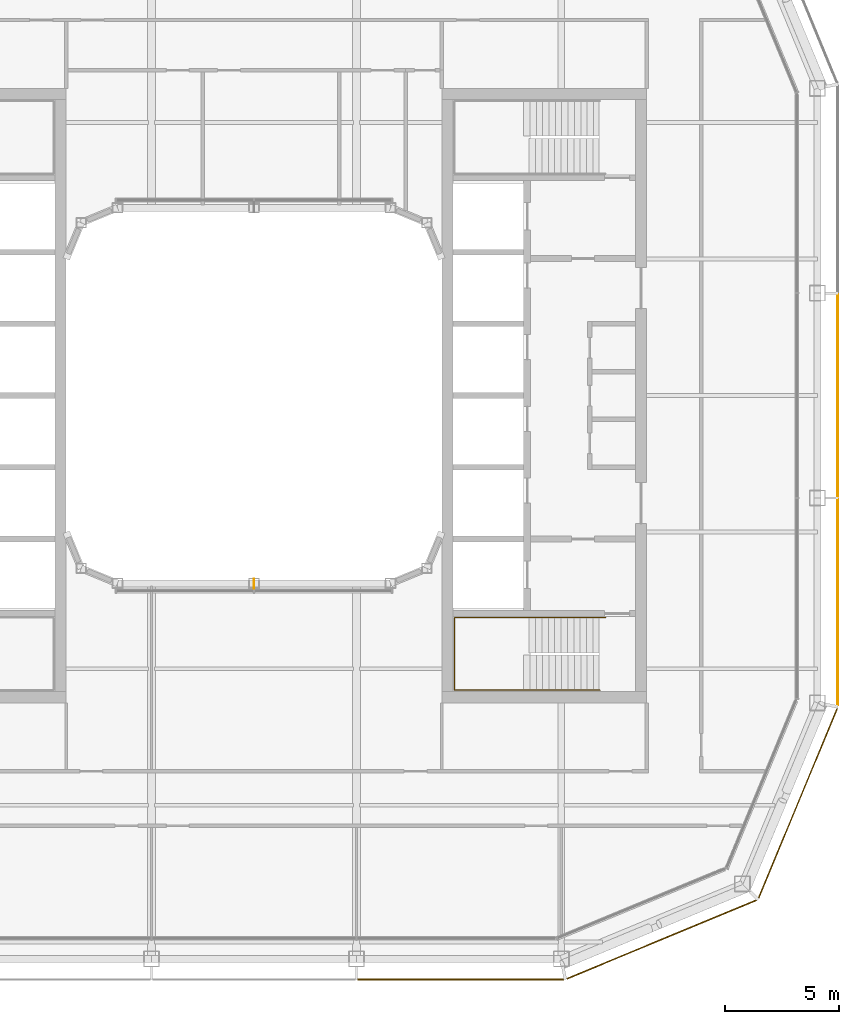
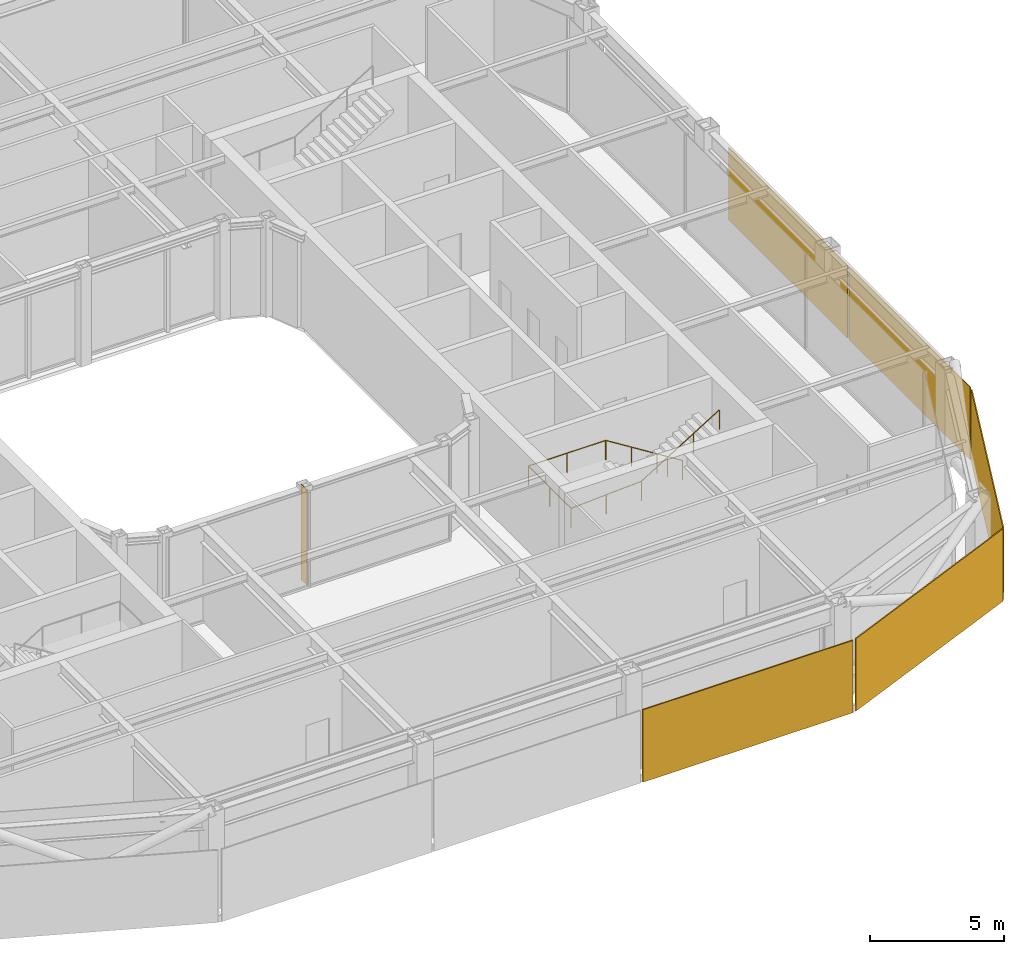
# One storey, part 16 of 18: 5 coverings, 1 railing, 1 shading device.
"""IFC4 building model written with IfcOpenShell, lengths in metres."""

from ifc_helpers import new_model, si_unit, direction, frame, origin, origin_2d, place, context, subcontext, project, spatial, rectangle, circle, extrude, material, layer, layer_set, type_object, element, save


model = new_model("IFC4")

# Units and contexts
model_context = context("Model", 3, precision=1e-05, world=origin(), true_north=direction((0.0, 1.0)))
body_context = subcontext(model_context, "Body", "Model", "MODEL_VIEW")
ifc_project = project(units=[si_unit("LENGTHUNIT", "METRE"), si_unit("AREAUNIT", "SQUARE_METRE"), si_unit("VOLUMEUNIT", "CUBIC_METRE"), si_unit("PLANEANGLEUNIT", "RADIAN"), si_unit("MASSUNIT", "GRAM", prefix="KILO")], contexts=[model_context])

# Site, building, storey
site_placement = place(None, origin())
site = spatial("IfcSite", under=ifc_project, at=site_placement, CompositionType="ELEMENT")
building_placement = place(site_placement, origin())
building = spatial("IfcBuilding", under=site, at=building_placement, Name="Siwar Civic Tower", CompositionType="ELEMENT")
storey_placement = place(building_placement, frame((0.0, 0.0, 321.199951171875)))
storey = spatial("IfcBuildingStorey", under=building, at=storey_placement, Name="L69", CompositionType="ELEMENT", Elevation=321.199951171875)

# Railing
ifc_material_1 = material(Name="Stainless steel", Category="steel")
railing_type = type_object("IfcRailingType", Name="CORE-STAIR-HANDRAIL", PredefinedType="HANDRAIL", material=ifc_material_1)
railing_placement = place(storey_placement, frame((15.449951171875, -9.758056640625, 0.173095703125)))
element("IfcRailing", 1, at=railing_placement, inside=storey, type_object=railing_type, Name="Stair handrail ST4", PredefinedType="HANDRAIL", context=body_context, shape_type="SweptSolid", body=[
    extrude(circle(Radius=0.02001953125, at=origin_2d()), frame((0.0, 0.0, 0.8798828125), z_axis=(-0.847063342986, 0.0, 0.531491950051), x_axis=(0.0, -1.0, 0.0)), (0.0, 0.0, 1.0), 3.90771484375),
    extrude(circle(Radius=0.02001953125, at=origin_2d()), frame((-3.31005859375, 0.0, 2.956787109375), z_axis=(-1.0, 0.0, 0.0), x_axis=(0.0, -1.0, 0.0)), (0.0, 0.0, 1.0), 3.331787109375),
    extrude(circle(Radius=0.02001953125, at=origin_2d()), frame((-6.641845703125, 0.0, 2.956787109375), z_axis=(0.0, -1.0, 0.0), x_axis=(1.0, 0.0, 0.0)), (0.0, 0.0, 1.0), 3.183837890625),
    extrude(circle(Radius=0.02001953125, at=origin_2d()), frame((-6.641845703125, -3.183837890625, 2.956787109375), z_axis=(0.99837434197, 0.0, 0.056997134106), x_axis=(0.0, 1.0, 0.0)), (0.0, 0.0, 1.0), 3.036865234375),
    extrude(circle(Radius=0.02001953125, at=origin_2d()), frame((-3.60986328125, -3.183837890625, 3.1298828125), z_axis=(0.850606129759, 0.0, 0.525803396734), x_axis=(0.0, 1.0, 0.0)), (0.0, 0.0, 1.0), 3.949951171875),
    extrude(circle(Radius=0.02001953125, at=origin_2d()), origin(), (0.0, 0.0, 1.0), 0.85986328125),
    extrude(circle(Radius=0.02001953125, at=origin_2d()), frame((-1.103271484375, 0.0, 0.6923828125)), (0.0, 0.0, 1.0), 0.85986328125),
    extrude(circle(Radius=0.02001953125, at=origin_2d()), frame((-2.206787109375, 0.0, 1.384521484375)), (0.0, 0.0, 1.0), 0.85986328125),
    extrude(circle(Radius=0.02001953125, at=origin_2d()), frame((-3.31005859375, 0.0, 2.076904296875)), (0.0, 0.0, 1.0), 0.85986328125),
    extrude(circle(Radius=0.02001953125, at=origin_2d()), frame((-4.97607421875, 0.0, 2.076904296875)), (0.0, 0.0, 1.0), 0.85986328125),
    extrude(circle(Radius=0.02001953125, at=origin_2d()), frame((-6.641845703125, 0.0, 2.076904296875)), (0.0, 0.0, 1.0), 0.85986328125),
    extrude(circle(Radius=0.02001953125, at=origin_2d()), frame((-6.641845703125, -1.591796875, 2.076904296875)), (0.0, 0.0, 1.0), 0.85986328125),
    extrude(circle(Radius=0.02001953125, at=origin_2d()), frame((-6.641845703125, -3.183837890625, 2.076904296875)), (0.0, 0.0, 1.0), 0.85986328125),
    extrude(circle(Radius=0.02001953125, at=origin_2d()), frame((-5.1259765625, -3.183837890625, 2.16357421875)), (0.0, 0.0, 1.0), 0.85986328125),
    extrude(circle(Radius=0.02001953125, at=origin_2d()), frame((-3.60986328125, -3.183837890625, 2.25)), (0.0, 0.0, 1.0), 0.85986328125),
    extrude(circle(Radius=0.02001953125, at=origin_2d()), frame((-2.489990234375, -3.183837890625, 2.9423828125)), (0.0, 0.0, 1.0), 0.85986328125),
    extrude(circle(Radius=0.02001953125, at=origin_2d()), frame((-1.369873046875, -3.183837890625, 3.634521484375)), (0.0, 0.0, 1.0), 0.85986328125),
    extrude(circle(Radius=0.02001953125, at=origin_2d()), frame((-0.25, -3.183837890625, 4.326904296875)), (0.0, 0.0, 1.0), 0.85986328125),
])

# Shading device
ifc_material_2 = material(Name="Aluminium 6063-T6", Category="aluminium")
ifc_layer_1 = layer(ifc_material_2, 0.02001953125)
ifc_layer_set_1 = layer_set([ifc_layer_1], Name="Aluminium 6063-T6")
shading_device_type = type_object("IfcShadingDeviceType", Name="ENV-FIN", PredefinedType="JALOUSIE", material=ifc_layer_set_1)
shading_device_placement = place(storey_placement, frame((0.0, -8.27001953125, 0.0), z_axis=(0.0, 0.0, 1.0), x_axis=(1.0, 0.0, 0.0)))
element("IfcShadingDevice", 2, at=shading_device_placement, inside=storey, type_object=shading_device_type, Name="SUNSHADE fin WS 1", PredefinedType="JALOUSIE", context=body_context, shape_type="SweptSolid", body=[
    extrude(rectangle(XDim=0.02001953125, YDim=0.449951171875, at=origin_2d()), origin(), (0.0, 0.0, 1.0), 4.35009765625),
])

# Coverings
ifc_material_3 = material(Name="Perforated aluminium cassette, pale metal", Category="aluminium")
ifc_layer_2 = layer(ifc_material_3, 0.0400390625)
ifc_layer_set_2 = layer_set([ifc_layer_2], Name="Perforated aluminium cassette, pale metal")
covering_type_1 = type_object("IfcCoveringType", Name="ENV-OUTER SKIN OS-1", PredefinedType="CLADDING", material=ifc_layer_set_2)
covering_1_placement = place(storey_placement, frame((25.64990234375, -9.07958984375, -0.14990234375), z_axis=(0.0, 0.0, 1.0), x_axis=(0.0, 1.0, 0.0)))
element("IfcCovering", 3, at=covering_1_placement, inside=storey, type_object=covering_type_1, Name="OUTER SKIN OS-1 E 1", PredefinedType="CLADDING", context=body_context, shape_type="SweptSolid", body=[
    extrude(rectangle(XDim=9.05908203125, YDim=0.0400390625, at=origin_2d()), origin(), (0.0, 0.0, 1.0), 3.300048828125),
])
covering_2_placement = place(storey_placement, frame((25.64990234375, 0.0, -0.14990234375), z_axis=(0.0, 0.0, 1.0), x_axis=(0.0, 1.0, 0.0)))
element("IfcCovering", 4, at=covering_2_placement, inside=storey, type_object=covering_type_1, Name="OUTER SKIN OS-1 E 2", PredefinedType="CLADDING", context=body_context, shape_type="SweptSolid", body=[
    extrude(rectangle(XDim=8.89990234375, YDim=0.0400390625, at=origin_2d()), origin(), (0.0, 0.0, 1.0), 3.300048828125),
])
ifc_material_4 = material(Name="Perforated aluminium cassette, pale metal", Category="aluminium")
ifc_layer_3 = layer(ifc_material_4, 0.044921875)
ifc_layer_set_3 = layer_set([ifc_layer_3], Name="Perforated aluminium cassette, pale metal")
covering_type_2 = type_object("IfcCoveringType", Name="ENV-OUTER SKIN OS-2", PredefinedType="CLADDING", material=ifc_layer_set_3)
covering_3_placement = place(storey_placement, frame((23.89697265625, -17.911376953125, -0.14990234375), z_axis=(0.0, 0.0, 1.0), x_axis=(0.382683432365, 0.923879532511, 0.0)))
element("IfcCovering", 5, at=covering_3_placement, inside=storey, type_object=covering_type_2, Name="OUTER SKIN OS-2 SE2 1", PredefinedType="CLADDING", context=body_context, shape_type="SweptSolid", body=[
    extrude(rectangle(XDim=9.022216796875, YDim=0.044921875, at=origin_2d()), origin(), (0.0, 0.0, 1.0), 3.300048828125),
])
ifc_material_5 = material(Name="Perforated aluminium cassette, pale metal", Category="aluminium")
ifc_layer_4 = layer(ifc_material_5, 0.050048828125)
ifc_layer_set_4 = layer_set([ifc_layer_4], Name="Perforated aluminium cassette, pale metal")
covering_type_3 = type_object("IfcCoveringType", Name="ENV-OUTER SKIN OS-3", PredefinedType="CLADDING", material=ifc_layer_set_4)
covering_4_placement = place(storey_placement, frame((17.911376953125, -23.89697265625, -0.14990234375), z_axis=(0.0, 0.0, 1.0), x_axis=(0.923879532511, 0.382683432365, 0.0)))
element("IfcCovering", 6, at=covering_4_placement, inside=storey, type_object=covering_type_3, Name="OUTER SKIN OS-3 SE1 1", PredefinedType="CLADDING", context=body_context, shape_type="SweptSolid", body=[
    extrude(rectangle(XDim=9.022216796875, YDim=0.050048828125, at=origin_2d()), origin(), (0.0, 0.0, 1.0), 3.300048828125),
])
ifc_material_6 = material(Name="Perforated aluminium cassette, pale metal", Category="aluminium")
ifc_layer_5 = layer(ifc_material_6, 0.054931640625)
ifc_layer_set_5 = layer_set([ifc_layer_5], Name="Perforated aluminium cassette, pale metal")
covering_type_4 = type_object("IfcCoveringType", Name="ENV-OUTER SKIN OS-4", PredefinedType="CLADDING", material=ifc_layer_set_5)
covering_5_placement = place(storey_placement, frame((9.07958984375, -25.64990234375, -0.14990234375), z_axis=(0.0, 0.0, 1.0), x_axis=(1.0, 0.0, 0.0)))
element("IfcCovering", 7, at=covering_5_placement, inside=storey, type_object=covering_type_4, Name="OUTER SKIN OS-4 S 3", PredefinedType="CLADDING", context=body_context, shape_type="SweptSolid", body=[
    extrude(rectangle(XDim=9.05908203125, YDim=0.054931640625, at=origin_2d()), origin(), (0.0, 0.0, 1.0), 3.300048828125),
])

save(model, "model.ifc")
